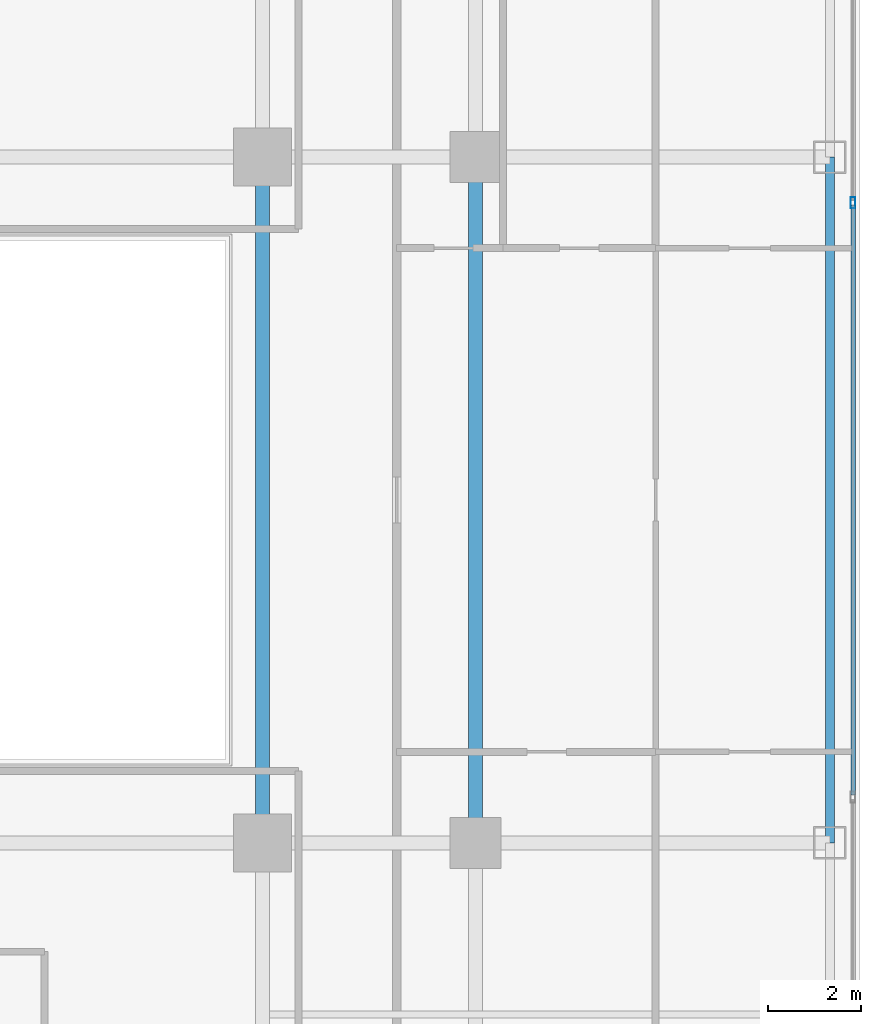
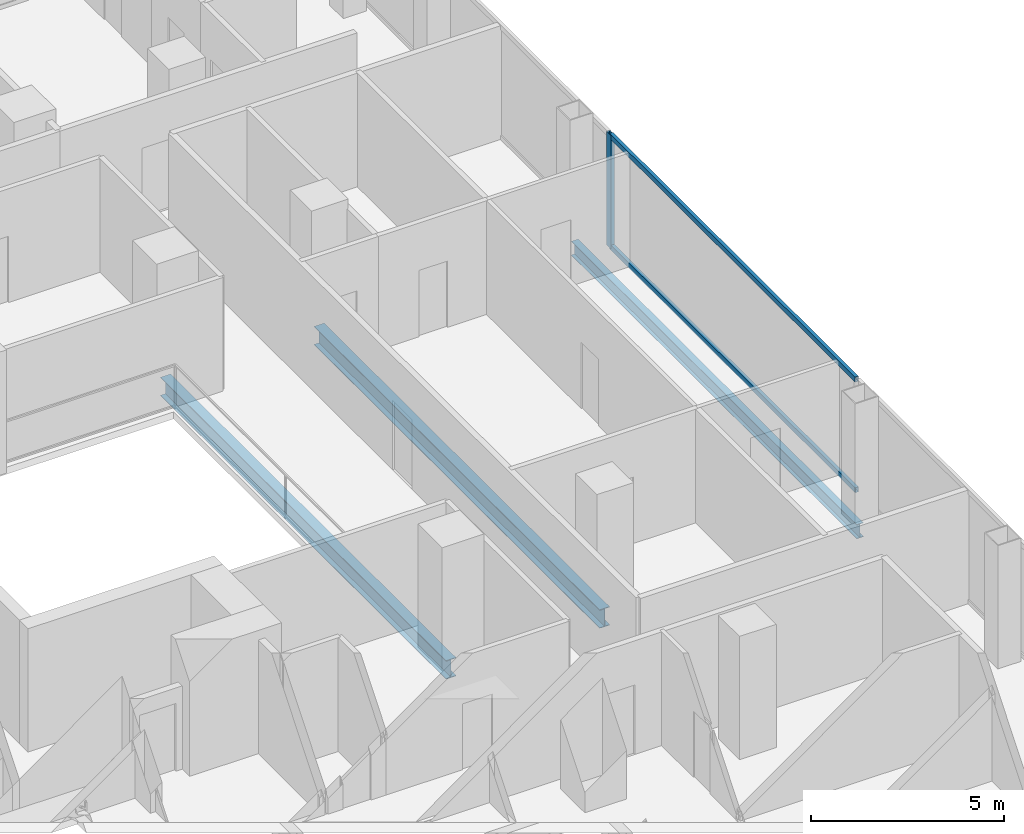
# One storey, part 11 of 27: 3 beams, 3 members, 1 element without a shape of its own.
"""IFC4 building model written with IfcOpenShell, lengths in metres."""

from ifc_helpers import new_model, si_unit, direction, frame, origin, origin_2d, place, context, subcontext, project, spatial, hollow_rectangle, i_section, extrude, material, layer, layer_set, material_profile, profile_set, type_object, element, aggregate, save


model = new_model("IFC4")

# Units and contexts
model_context = context("Model", 3, precision=1e-05, world=origin(), true_north=direction((0.0, 1.0)))
body_context = subcontext(model_context, "Body", "Model", "MODEL_VIEW")
ifc_project = project(units=[si_unit("LENGTHUNIT", "METRE"), si_unit("AREAUNIT", "SQUARE_METRE"), si_unit("VOLUMEUNIT", "CUBIC_METRE"), si_unit("PLANEANGLEUNIT", "RADIAN"), si_unit("MASSUNIT", "GRAM", prefix="KILO")], contexts=[model_context])

# Site, building, storey
site_placement = place(None, origin())
site = spatial("IfcSite", under=ifc_project, at=site_placement, CompositionType="ELEMENT")
building_placement = place(site_placement, origin())
building = spatial("IfcBuilding", under=site, at=building_placement, Name="Khorvyn Point Tower", CompositionType="ELEMENT")
storey_placement = place(building_placement, frame((0.0, 0.0, 152.39990234375)))
storey = spatial("IfcBuildingStorey", under=building, at=storey_placement, Name="L38", CompositionType="ELEMENT", Elevation=152.39990234375)

# Curtain wall, members
ifc_material_1 = material(Name="Anodised aluminium 6063-T6 and laminated Low-E glass", Category="aluminium")
ifc_layer = layer(ifc_material_1, 0.18994140625)
ifc_layer_set = layer_set([ifc_layer], Name="Stick-Built Acoustic Curtain Wall CW-SYS-03")
curtain_wall_type = type_object("IfcCurtainWallType", Name="Stick-Built Acoustic Curtain Wall CW-SYS-03", PredefinedType="NOTDEFINED", material=ifc_layer_set)
curtain_wall_placement = place(storey_placement, origin())
curtain_wall = element("IfcCurtainWall", 1, at=curtain_wall_placement, inside=storey, type_object=curtain_wall_type, Name="Curtain Wall", PredefinedType="NOTDEFINED")
ifc_material_2 = material(Name="Anodised aluminium 6063-T6", Category="aluminium")
ifc_material_profile_1 = material_profile(ifc_material_2, hollow_rectangle(XDim=0.10009765625, YDim=0.239990234375, WallThickness=0.0048828125, at=origin_2d()))
ifc_profile_set_1 = profile_set([ifc_material_profile_1], Name="Anodised aluminium 6063-T6 ALU-MUL-100x240")
member_type_1 = type_object("IfcMemberType", Name="Anodised Aluminium 6063-T6 Mullion ALU-MUL-100x240", PredefinedType="MULLION", material=ifc_profile_set_1)
member_1_placement = place(storey_placement, frame((27.550048828125, 6.416748046875, 0.0), z_axis=(0.0, 0.0, 1.0), x_axis=(1.0, 0.0, 0.0)))
member_1 = element("IfcMember", 2, at=member_1_placement, type_object=member_type_1, Name="Transom", PredefinedType="MULLION", context=body_context, shape_type="SweptSolid", body=[
    extrude(hollow_rectangle(XDim=0.10009765625, YDim=0.239990234375, WallThickness=0.0048828125, at=origin_2d()), origin(), (0.0, 0.0, 1.0), 3.60009765625),
])
ifc_material_profile_2 = material_profile(ifc_material_2, hollow_rectangle(XDim=0.10009765625, YDim=0.159912109375, WallThickness=0.00439453125, at=origin_2d()))
ifc_profile_set_2 = profile_set([ifc_material_profile_2], Name="Anodised aluminium 6063-T6 ALU-TRN-100x160")
member_type_2 = type_object("IfcMemberType", Name="Anodised Aluminium 6063-T6 Transom ALU-TRN-100x160", PredefinedType="USERDEFINED", material=ifc_profile_set_2)
member_2_placement = place(storey_placement, frame((27.550048828125, 6.36669921875, 0.050048828125), z_axis=(0.0, -1.0, 0.0), x_axis=(1.0, 0.0, 0.0)))
member_2 = element("IfcMember", 3, at=member_2_placement, type_object=member_type_2, Name="Transom", ObjectType="TRANSOM", PredefinedType="USERDEFINED", context=body_context, shape_type="SweptSolid", body=[
    extrude(hollow_rectangle(XDim=0.10009765625, YDim=0.159912109375, WallThickness=0.00439453125, at=origin_2d()), origin(), (0.0, 0.0, 1.0), 12.7333984375),
])
member_3_placement = place(storey_placement, frame((27.550048828125, 6.36669921875, 3.550048828125), z_axis=(0.0, -1.0, 0.0), x_axis=(1.0, 0.0, 0.0)))
member_3 = element("IfcMember", 4, at=member_3_placement, type_object=member_type_2, Name="Transom", ObjectType="TRANSOM", PredefinedType="USERDEFINED", context=body_context, shape_type="SweptSolid", body=[
    extrude(hollow_rectangle(XDim=0.10009765625, YDim=0.159912109375, WallThickness=0.00439453125, at=origin_2d()), origin(), (0.0, 0.0, 1.0), 12.7333984375),
])
aggregate(curtain_wall, [member_1, member_2, member_3])

# Beams
ifc_material_3 = material(Name="Steel S355", Category="steel")
ifc_material_profile_3 = material_profile(ifc_material_3, i_section(OverallWidth=0.300048828125, OverallDepth=0.587890625, WebThickness=0.011962890625, FlangeThickness=0.02001953125, at=origin_2d()))
ifc_profile_set_3 = profile_set([ifc_material_profile_3], Name="Steel S355 H588x300x12x20")
beam_type_1 = type_object("IfcBeamType", Name="Steel S355 Beam H588x300x12x20", PredefinedType="BEAM", material=ifc_profile_set_3)
for number, where, z_axis, x_axis, name in (
    (5, (14.800048828125, -7.39990234375, -0.513916015625), (0.0, 1.0, 0.0), (-1.0, 0.0, 0.0), "Beam"),
    (6, (19.39990234375, -7.39990234375, -0.513916015625), (0.0, 1.0, 0.0), (-1.0, 0.0, 0.0), "Beam"),
):
    element("IfcBeam", number, at=place(storey_placement, frame(where, z_axis=z_axis, x_axis=x_axis)), inside=storey, type_object=beam_type_1, Name=name, PredefinedType="BEAM", context=body_context, shape_type="SweptSolid", body=[
        extrude(i_section(OverallWidth=0.300048828125, OverallDepth=0.587890625, WebThickness=0.011962890625, FlangeThickness=0.02001953125, at=origin_2d()), origin(), (0.0, 0.0, 1.0), 14.7998046875),
    ])
ifc_material_profile_4 = material_profile(ifc_material_3, i_section(OverallWidth=0.199951171875, OverallDepth=0.449951171875, WebThickness=0.009033203125, FlangeThickness=0.013916015625, at=origin_2d()))
ifc_profile_set_4 = profile_set([ifc_material_profile_4], Name="Steel S355 H450x200x9x14")
beam_type_2 = type_object("IfcBeamType", Name="Steel S355 Spandrel H450x200x9x14", PredefinedType="SPANDREL", material=ifc_profile_set_4)
beam_placement = place(storey_placement, frame((27.050048828125, -7.39990234375, -0.44482421875), z_axis=(0.0, 1.0, 0.0), x_axis=(-1.0, 0.0, 0.0)))
element("IfcBeam", 7, at=beam_placement, inside=storey, type_object=beam_type_2, Name="Beam", PredefinedType="SPANDREL", context=body_context, shape_type="SweptSolid", body=[
    extrude(i_section(OverallWidth=0.199951171875, OverallDepth=0.449951171875, WebThickness=0.009033203125, FlangeThickness=0.013916015625, at=origin_2d()), origin(), (0.0, 0.0, 1.0), 14.7998046875),
])

save(model, "model.ifc")
